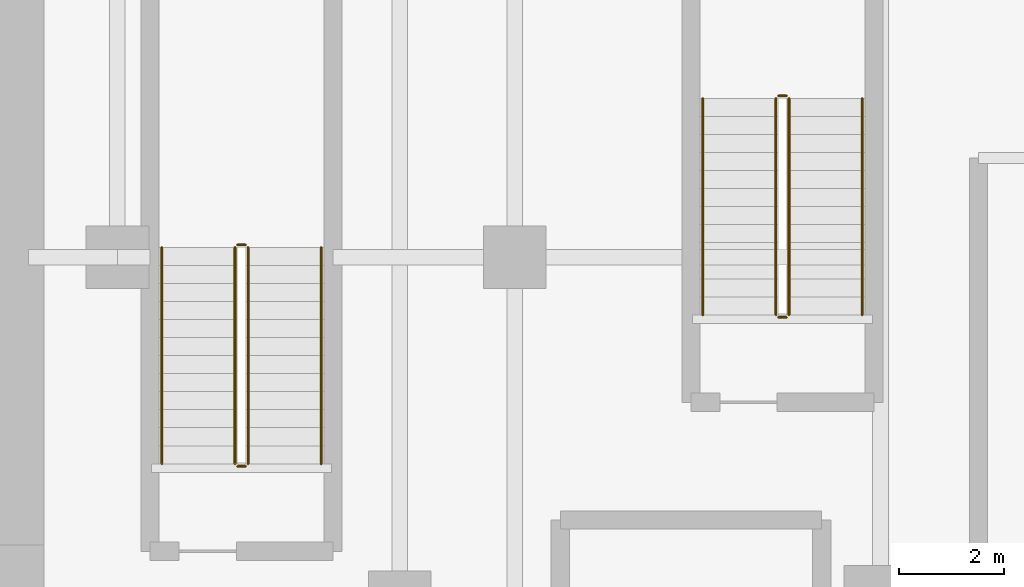
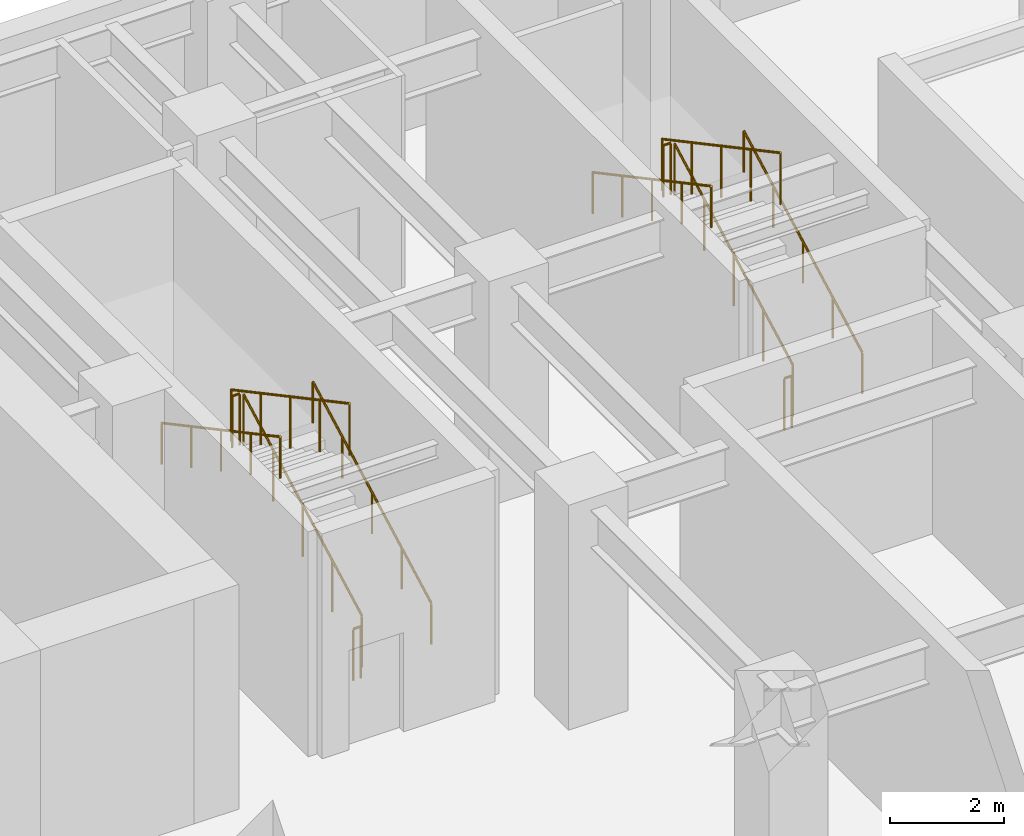
# One storey, part 8 of 9: 12 railings.
"""IFC4 building model written with IfcOpenShell, lengths in metres."""

from ifc_helpers import new_model, si_unit, direction, frame, origin, origin_2d, place, context, subcontext, project, spatial, circle, extrude, material, type_object, element, save


model = new_model("IFC4")

# Units and contexts
model_context = context("Model", 3, precision=1e-05, world=origin(), true_north=direction((0.0, 1.0)))
body_context = subcontext(model_context, "Body", "Model", "MODEL_VIEW")
ifc_project = project(units=[si_unit("LENGTHUNIT", "METRE"), si_unit("AREAUNIT", "SQUARE_METRE"), si_unit("VOLUMEUNIT", "CUBIC_METRE"), si_unit("PLANEANGLEUNIT", "RADIAN"), si_unit("MASSUNIT", "GRAM", prefix="KILO")], contexts=[model_context])

# Site, building, storey
site_placement = place(None, origin())
site = spatial("IfcSite", under=ifc_project, at=site_placement, CompositionType="ELEMENT")
building_placement = place(site_placement, origin())
building = spatial("IfcBuilding", under=site, at=building_placement, Name="Tolvann Quenvar Hotel", CompositionType="ELEMENT")
storey_placement = place(building_placement, frame((0.0, 0.0, -4.800048828125)))
storey = spatial("IfcBuildingStorey", under=building, at=storey_placement, Name="B01", CompositionType="ELEMENT", Elevation=-4.800048828125)

# Railings
ifc_material = material(Name="Brushed 316 stainless steel balustrade and handrail", Category="steel")
railing_type_1 = type_object("IfcRailingType", Name="GUARDRAIL", PredefinedType="GUARDRAIL", material=ifc_material)
railing_1_placement = place(storey_placement, frame((44.300048828125, 34.050048828125, 0.1845703125)))
element("IfcRailing", 1, at=railing_1_placement, inside=storey, type_object=railing_type_1, Name="B01 ST-B2 stair guard 1", PredefinedType="GUARDRAIL", context=body_context, shape_type="SweptSolid", body=[
    extrude(circle(Radius=0.02392578125, at=origin_2d()), frame((0.0, 0.0, 1.09619140625), z_axis=(0.0, 0.881676999658, 0.4718534394), x_axis=(-1.0, 0.0, 0.0)), (0.0, 0.0, 1.0), 4.695556640625),
    extrude(circle(Radius=0.02099609375, at=origin_2d()), origin(), (0.0, 0.0, 1.0), 1.072021484375),
    extrude(circle(Radius=0.02099609375, at=origin_2d()), frame((0.0, 1.034912109375, 0.553955078125)), (0.0, 0.0, 1.0), 1.072021484375),
    extrude(circle(Radius=0.02099609375, at=origin_2d()), frame((0.0, 2.06982421875, 1.10791015625)), (0.0, 0.0, 1.0), 1.072021484375),
    extrude(circle(Radius=0.02099609375, at=origin_2d()), frame((0.0, 3.10498046875, 1.66162109375)), (0.0, 0.0, 1.0), 1.072021484375),
    extrude(circle(Radius=0.02099609375, at=origin_2d()), frame((0.0, 4.139892578125, 2.215576171875)), (0.0, 0.0, 1.0), 1.072021484375),
])
railing_2_placement = place(storey_placement, frame((44.25, 38.239990234375, 2.400146484375)))
element("IfcRailing", 2, at=railing_2_placement, inside=storey, type_object=railing_type_1, Name="B01 ST-B2 stair guard 2", PredefinedType="GUARDRAIL", context=body_context, shape_type="SweptSolid", body=[
    extrude(circle(Radius=0.02392578125, at=origin_2d()), frame((0.0, 0.0, 1.09619140625), z_axis=(-1.0, 0.0, 0.0), x_axis=(0.0, -1.0, 0.0)), (0.0, 0.0, 1.0), 0.14990234375),
    extrude(circle(Radius=0.02099609375, at=origin_2d()), origin(), (0.0, 0.0, 1.0), 1.072021484375),
    extrude(circle(Radius=0.02099609375, at=origin_2d()), frame((-0.14990234375, 0.0, 0.0)), (0.0, 0.0, 1.0), 1.072021484375),
])
railing_3_placement = place(storey_placement, frame((44.050048828125, 38.18994140625, 2.584716796875)))
element("IfcRailing", 3, at=railing_3_placement, inside=storey, type_object=railing_type_1, Name="B01 ST-B2 stair guard 3", PredefinedType="GUARDRAIL", context=body_context, shape_type="SweptSolid", body=[
    extrude(circle(Radius=0.02392578125, at=origin_2d()), frame((0.0, 0.0, 1.09619140625), z_axis=(0.0, -0.881698630289, 0.471813019475), x_axis=(1.0, 0.0, 0.0)), (0.0, 0.0, 1.0), 4.6953125),
    extrude(circle(Radius=0.02099609375, at=origin_2d()), origin(), (0.0, 0.0, 1.0), 1.072021484375),
    extrude(circle(Radius=0.02099609375, at=origin_2d()), frame((0.0, -1.034912109375, 0.5537109375)), (0.0, 0.0, 1.0), 1.072021484375),
    extrude(circle(Radius=0.02099609375, at=origin_2d()), frame((0.0, -2.06982421875, 1.107666015625)), (0.0, 0.0, 1.0), 1.072021484375),
    extrude(circle(Radius=0.02099609375, at=origin_2d()), frame((0.0, -3.10498046875, 1.66162109375)), (0.0, 0.0, 1.0), 1.072021484375),
    extrude(circle(Radius=0.02099609375, at=origin_2d()), frame((0.0, -4.139892578125, 2.21533203125)), (0.0, 0.0, 1.0), 1.072021484375),
])
railing_4_placement = place(storey_placement, frame((44.25, 34.0, 0.0)))
element("IfcRailing", 4, at=railing_4_placement, inside=storey, type_object=railing_type_1, Name="B01 ST-B2 stair guard 4", PredefinedType="GUARDRAIL", context=body_context, shape_type="SweptSolid", body=[
    extrude(circle(Radius=0.02392578125, at=origin_2d()), frame((0.0, 0.0, 1.09619140625), z_axis=(-1.0, 0.0, 0.0), x_axis=(0.0, -1.0, 0.0)), (0.0, 0.0, 1.0), 0.14990234375),
    extrude(circle(Radius=0.02099609375, at=origin_2d()), origin(), (0.0, 0.0, 1.0), 1.072021484375),
    extrude(circle(Radius=0.02099609375, at=origin_2d()), frame((-0.14990234375, 0.0, 0.0)), (0.0, 0.0, 1.0), 1.072021484375),
])
railing_5_placement = place(storey_placement, frame((54.64990234375, 36.89990234375, 0.1845703125)))
element("IfcRailing", 5, at=railing_5_placement, inside=storey, type_object=railing_type_1, Name="B01 ST-B3 stair guard 1", PredefinedType="GUARDRAIL", context=body_context, shape_type="SweptSolid", body=[
    extrude(circle(Radius=0.02392578125, at=origin_2d()), frame((0.0, 0.0, 1.09619140625), z_axis=(0.0, 0.881688575295, 0.471831809223), x_axis=(-1.0, 0.0, 0.0)), (0.0, 0.0, 1.0), 4.69580078125),
    extrude(circle(Radius=0.02099609375, at=origin_2d()), origin(), (0.0, 0.0, 1.0), 1.072021484375),
    extrude(circle(Radius=0.02099609375, at=origin_2d()), frame((0.0, 1.03515625, 0.553955078125)), (0.0, 0.0, 1.0), 1.072021484375),
    extrude(circle(Radius=0.02099609375, at=origin_2d()), frame((0.0, 2.070068359375, 1.10791015625)), (0.0, 0.0, 1.0), 1.072021484375),
    extrude(circle(Radius=0.02099609375, at=origin_2d()), frame((0.0, 3.10498046875, 1.66162109375)), (0.0, 0.0, 1.0), 1.072021484375),
    extrude(circle(Radius=0.02099609375, at=origin_2d()), frame((0.0, 4.14013671875, 2.215576171875)), (0.0, 0.0, 1.0), 1.072021484375),
])
railing_6_placement = place(storey_placement, frame((54.60009765625, 41.090087890625, 2.400146484375)))
element("IfcRailing", 6, at=railing_6_placement, inside=storey, type_object=railing_type_1, Name="B01 ST-B3 stair guard 2", PredefinedType="GUARDRAIL", context=body_context, shape_type="SweptSolid", body=[
    extrude(circle(Radius=0.02392578125, at=origin_2d()), frame((0.0, 0.0, 1.09619140625), z_axis=(-1.0, 0.0, 0.0), x_axis=(0.0, -1.0, 0.0)), (0.0, 0.0, 1.0), 0.150146484375),
    extrude(circle(Radius=0.02099609375, at=origin_2d()), origin(), (0.0, 0.0, 1.0), 1.072021484375),
    extrude(circle(Radius=0.02099609375, at=origin_2d()), frame((-0.150146484375, 0.0, 0.0)), (0.0, 0.0, 1.0), 1.072021484375),
])
railing_7_placement = place(storey_placement, frame((54.39990234375, 41.0400390625, 2.584716796875)))
element("IfcRailing", 7, at=railing_7_placement, inside=storey, type_object=railing_type_1, Name="B01 ST-B3 stair guard 3", PredefinedType="GUARDRAIL", context=body_context, shape_type="SweptSolid", body=[
    extrude(circle(Radius=0.02392578125, at=origin_2d()), frame((0.0, 0.0, 1.09619140625), z_axis=(0.0, -0.881710204226, 0.47179139009), x_axis=(1.0, 0.0, 0.0)), (0.0, 0.0, 1.0), 4.695556640625),
    extrude(circle(Radius=0.02099609375, at=origin_2d()), origin(), (0.0, 0.0, 1.0), 1.072021484375),
    extrude(circle(Radius=0.02099609375, at=origin_2d()), frame((0.0, -1.03515625, 0.5537109375)), (0.0, 0.0, 1.0), 1.072021484375),
    extrude(circle(Radius=0.02099609375, at=origin_2d()), frame((0.0, -2.070068359375, 1.107666015625)), (0.0, 0.0, 1.0), 1.072021484375),
    extrude(circle(Radius=0.02099609375, at=origin_2d()), frame((0.0, -3.10498046875, 1.66162109375)), (0.0, 0.0, 1.0), 1.072021484375),
    extrude(circle(Radius=0.02099609375, at=origin_2d()), frame((0.0, -4.14013671875, 2.21533203125)), (0.0, 0.0, 1.0), 1.072021484375),
])
railing_8_placement = place(storey_placement, frame((54.60009765625, 36.85009765625, 0.0)))
element("IfcRailing", 8, at=railing_8_placement, inside=storey, type_object=railing_type_1, Name="B01 ST-B3 stair guard 4", PredefinedType="GUARDRAIL", context=body_context, shape_type="SweptSolid", body=[
    extrude(circle(Radius=0.02392578125, at=origin_2d()), frame((0.0, 0.0, 1.09619140625), z_axis=(-1.0, 0.0, 0.0), x_axis=(0.0, -1.0, 0.0)), (0.0, 0.0, 1.0), 0.150146484375),
    extrude(circle(Radius=0.02099609375, at=origin_2d()), origin(), (0.0, 0.0, 1.0), 1.072021484375),
    extrude(circle(Radius=0.02099609375, at=origin_2d()), frame((-0.150146484375, 0.0, 0.0)), (0.0, 0.0, 1.0), 1.072021484375),
])
railing_type_2 = type_object("IfcRailingType", Name="HANDRAIL", PredefinedType="HANDRAIL", material=ifc_material)
railing_9_placement = place(storey_placement, frame((45.699951171875, 34.050048828125, 0.1845703125)))
element("IfcRailing", 9, at=railing_9_placement, inside=storey, type_object=railing_type_2, Name="B01 ST-B2 stair handrail 1", PredefinedType="HANDRAIL", context=body_context, shape_type="SweptSolid", body=[
    extrude(circle(Radius=0.02392578125, at=origin_2d()), frame((0.0, 0.0, 0.8759765625), z_axis=(0.0, 0.881676999658, 0.4718534394), x_axis=(-1.0, 0.0, 0.0)), (0.0, 0.0, 1.0), 4.695556640625),
    extrude(circle(Radius=0.02099609375, at=origin_2d()), origin(), (0.0, 0.0, 1.0), 0.851806640625),
    extrude(circle(Radius=0.02099609375, at=origin_2d()), frame((0.0, 1.034912109375, 0.553955078125)), (0.0, 0.0, 1.0), 0.851806640625),
    extrude(circle(Radius=0.02099609375, at=origin_2d()), frame((0.0, 2.06982421875, 1.10791015625)), (0.0, 0.0, 1.0), 0.851806640625),
    extrude(circle(Radius=0.02099609375, at=origin_2d()), frame((0.0, 3.10498046875, 1.66162109375)), (0.0, 0.0, 1.0), 0.851806640625),
    extrude(circle(Radius=0.02099609375, at=origin_2d()), frame((0.0, 4.139892578125, 2.215576171875)), (0.0, 0.0, 1.0), 0.851806640625),
])
railing_10_placement = place(storey_placement, frame((42.64990234375, 38.18994140625, 2.584716796875)))
element("IfcRailing", 10, at=railing_10_placement, inside=storey, type_object=railing_type_2, Name="B01 ST-B2 stair handrail 2", PredefinedType="HANDRAIL", context=body_context, shape_type="SweptSolid", body=[
    extrude(circle(Radius=0.02392578125, at=origin_2d()), frame((0.0, 0.0, 0.8759765625), z_axis=(0.0, -0.881698630289, 0.471813019475), x_axis=(1.0, 0.0, 0.0)), (0.0, 0.0, 1.0), 4.6953125),
    extrude(circle(Radius=0.02099609375, at=origin_2d()), origin(), (0.0, 0.0, 1.0), 0.851806640625),
    extrude(circle(Radius=0.02099609375, at=origin_2d()), frame((0.0, -1.034912109375, 0.5537109375)), (0.0, 0.0, 1.0), 0.851806640625),
    extrude(circle(Radius=0.02099609375, at=origin_2d()), frame((0.0, -2.06982421875, 1.107666015625)), (0.0, 0.0, 1.0), 0.851806640625),
    extrude(circle(Radius=0.02099609375, at=origin_2d()), frame((0.0, -3.10498046875, 1.66162109375)), (0.0, 0.0, 1.0), 0.851806640625),
    extrude(circle(Radius=0.02099609375, at=origin_2d()), frame((0.0, -4.139892578125, 2.21533203125)), (0.0, 0.0, 1.0), 0.851806640625),
])
railing_11_placement = place(storey_placement, frame((56.050048828125, 36.89990234375, 0.1845703125)))
element("IfcRailing", 11, at=railing_11_placement, inside=storey, type_object=railing_type_2, Name="B01 ST-B3 stair handrail 1", PredefinedType="HANDRAIL", context=body_context, shape_type="SweptSolid", body=[
    extrude(circle(Radius=0.02392578125, at=origin_2d()), frame((0.0, 0.0, 0.8759765625), z_axis=(0.0, 0.881688575295, 0.471831809223), x_axis=(-1.0, 0.0, 0.0)), (0.0, 0.0, 1.0), 4.69580078125),
    extrude(circle(Radius=0.02099609375, at=origin_2d()), origin(), (0.0, 0.0, 1.0), 0.851806640625),
    extrude(circle(Radius=0.02099609375, at=origin_2d()), frame((0.0, 1.03515625, 0.553955078125)), (0.0, 0.0, 1.0), 0.851806640625),
    extrude(circle(Radius=0.02099609375, at=origin_2d()), frame((0.0, 2.070068359375, 1.10791015625)), (0.0, 0.0, 1.0), 0.851806640625),
    extrude(circle(Radius=0.02099609375, at=origin_2d()), frame((0.0, 3.10498046875, 1.66162109375)), (0.0, 0.0, 1.0), 0.851806640625),
    extrude(circle(Radius=0.02099609375, at=origin_2d()), frame((0.0, 4.14013671875, 2.215576171875)), (0.0, 0.0, 1.0), 0.851806640625),
])
railing_12_placement = place(storey_placement, frame((53.0, 41.0400390625, 2.584716796875)))
element("IfcRailing", 12, at=railing_12_placement, inside=storey, type_object=railing_type_2, Name="B01 ST-B3 stair handrail 2", PredefinedType="HANDRAIL", context=body_context, shape_type="SweptSolid", body=[
    extrude(circle(Radius=0.02392578125, at=origin_2d()), frame((0.0, 0.0, 0.8759765625), z_axis=(0.0, -0.881710204226, 0.47179139009), x_axis=(1.0, 0.0, 0.0)), (0.0, 0.0, 1.0), 4.695556640625),
    extrude(circle(Radius=0.02099609375, at=origin_2d()), origin(), (0.0, 0.0, 1.0), 0.851806640625),
    extrude(circle(Radius=0.02099609375, at=origin_2d()), frame((0.0, -1.03515625, 0.5537109375)), (0.0, 0.0, 1.0), 0.851806640625),
    extrude(circle(Radius=0.02099609375, at=origin_2d()), frame((0.0, -2.070068359375, 1.107666015625)), (0.0, 0.0, 1.0), 0.851806640625),
    extrude(circle(Radius=0.02099609375, at=origin_2d()), frame((0.0, -3.10498046875, 1.66162109375)), (0.0, 0.0, 1.0), 0.851806640625),
    extrude(circle(Radius=0.02099609375, at=origin_2d()), frame((0.0, -4.14013671875, 2.21533203125)), (0.0, 0.0, 1.0), 0.851806640625),
])

save(model, "model.ifc")
